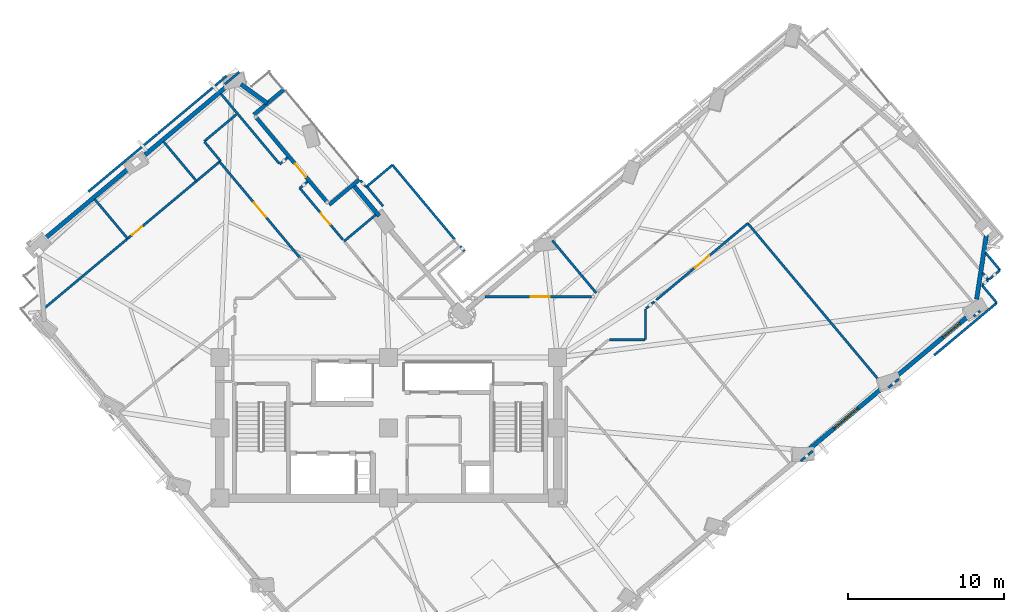
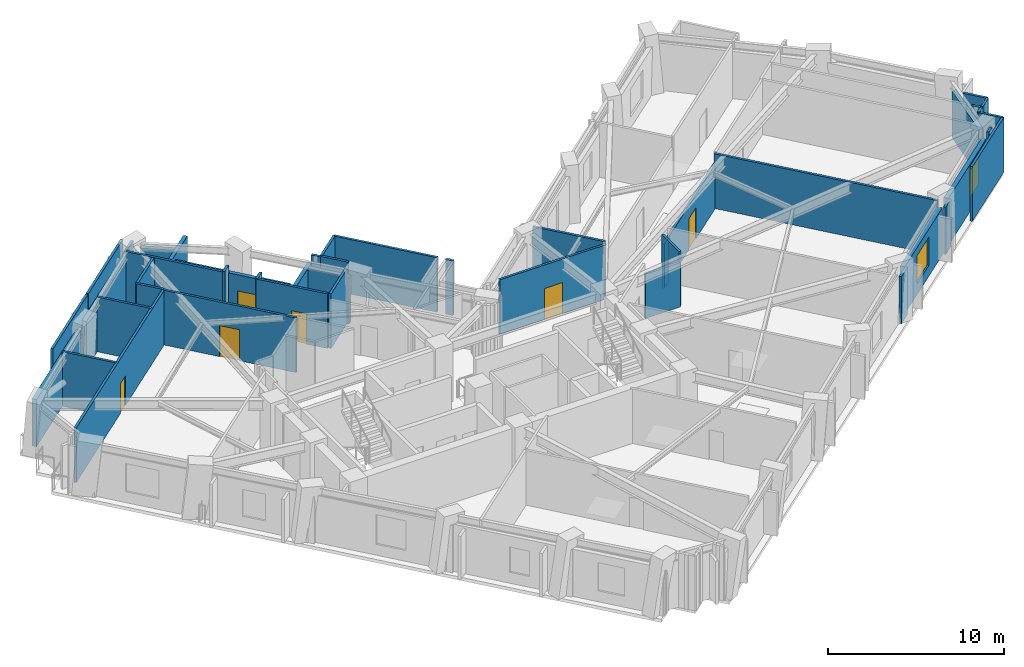
# One storey, part 8 of 14: 45 walls, 6 doors, 2 windows, 8 openings.
"""IFC4 building model written with IfcOpenShell, lengths in metres."""

from ifc_helpers import new_model, si_unit, direction, frame, frame_2d, origin, place, context, subcontext, project, spatial, rectangle, extrude, material, layer, layer_set, type_object, element, fill, save


model = new_model("IFC4")

# Units and contexts
model_context = context("Model", 3, precision=1e-05, world=origin(), true_north=direction((0.0, 1.0)))
body_context = subcontext(model_context, "Body", "Model", "MODEL_VIEW")
ifc_project = project(units=[si_unit("LENGTHUNIT", "METRE"), si_unit("AREAUNIT", "SQUARE_METRE"), si_unit("VOLUMEUNIT", "CUBIC_METRE"), si_unit("PLANEANGLEUNIT", "RADIAN"), si_unit("MASSUNIT", "GRAM", prefix="KILO")], contexts=[model_context])

# Site, building, storey
site_placement = place(None, origin())
site = spatial("IfcSite", under=ifc_project, at=site_placement, CompositionType="ELEMENT")
building_placement = place(site_placement, origin())
building = spatial("IfcBuilding", under=site, at=building_placement, Name="Gaonmaruhae Medical Tower", CompositionType="ELEMENT")
storey_placement = place(building_placement, frame((0.0, 0.0, 193.800048828125)))
storey = spatial("IfcBuildingStorey", under=building, at=storey_placement, Name="L46", CompositionType="ELEMENT", Elevation=193.800048828125)

# Wall, opening, door
ifc_material_1 = material(Name="Precast concrete C45/55", Category="concrete")
ifc_layer_1 = layer(ifc_material_1, 0.239990234375)
ifc_layer_set_1 = layer_set([ifc_layer_1], Name="Precast concrete C45/55")
wall_type_1 = type_object("IfcWallType", Name="EW-240 Ribbon & Shelter Insulated Precast Wall", PredefinedType="SOLIDWALL", material=ifc_layer_set_1)
wall_1_placement = place(storey_placement, frame((16.34912109375, 32.118408203125, 0.0), z_axis=(0.0, 0.0, 1.0), x_axis=(0.64142910076, -0.767182317769, 0.0)))
wall_1 = element("IfcWall", 1, at=wall_1_placement, inside=storey, type_object=wall_type_1, Name="L46 Recessed Terrace Enclosure Wall TERB", PredefinedType="SOLIDWALL", context=body_context, shape_type="SweptSolid", body=[
    extrude(rectangle(XDim=6.9599609375, YDim=0.239990234375, at=frame_2d((3.47998046875, 0.0))), origin(), (0.0, 0.0, 1.0), 3.264892578125),
])
opening_1_placement = place(wall_1_placement, frame((3.819580078125, 0.0, 0.0)))
opening_1 = element("IfcOpeningElement", 2, at=opening_1_placement, cuts=wall_1, Name="Opening TD-01", PredefinedType="OPENING", context=body_context, shape_type="SweptSolid", body=[
    extrude(rectangle(XDim=1.10009765625, YDim=2.14990234375, at=frame_2d((0.550048828125, 1.074951171875))), frame((0.0, 0.1298828125, 0.0), z_axis=(0.0, -1.0, 0.0), x_axis=(1.0, 0.0, 0.0)), (0.0, 0.0, 1.0), 0.260009765625),
])
ifc_material_2 = material(Name="Anodised aluminium and toughened safety glass", Category="aluminium")
door_type_1 = type_object("IfcDoorType", Name="TD-01 Terrace & Sky Garden Glazed Door 1100x2150", OperationType="NOTDEFINED", PredefinedType="DOOR", material=ifc_material_2)
door_1_placement = place(opening_1_placement, origin())
door_1 = element("IfcDoor", 3, at=door_1_placement, inside=storey, type_object=door_type_1, Name="L46 Outdoor Terrace Access Door SLB-L46-TER", OperationType="SINGLE_SWING_RIGHT", OverallHeight=2.14990234375, OverallWidth=1.10009765625, PredefinedType="DOOR", context=body_context, shape_type="SweptSolid", body=[
    extrude(rectangle(XDim=1.10009765625, YDim=2.14990234375, at=frame_2d((0.550048828125, 1.074951171875))), frame((0.0, 0.02490234375, 0.0), z_axis=(0.0, -1.0, 0.0), x_axis=(1.0, 0.0, 0.0)), (0.0, 0.0, 1.0), 0.050048828125),
])
fill(opening_1, door_1)

# Walls
wall_2_placement = place(storey_placement, frame((20.9931640625, 26.564208984375, 0.0), z_axis=(0.0, 0.0, 1.0), x_axis=(0.7671555128, 0.641461159526, 0.0)))
element("IfcWall", 4, at=wall_2_placement, inside=storey, type_object=wall_type_1, Name="L46 Recessed Terrace Enclosure Wall TERL", PredefinedType="SOLIDWALL", context=body_context, shape_type="SweptSolid", body=[
    extrude(rectangle(XDim=2.499755859375, YDim=0.239990234375, at=frame_2d((1.25, 0.0))), origin(), (0.0, 0.0, 1.0), 3.264892578125),
])
wall_3_placement = place(storey_placement, frame((18.08740234375, 33.936767578125, 0.0), z_axis=(0.0, 0.0, 1.0), x_axis=(-0.767147639319, -0.641470575699, 0.0)))
element("IfcWall", 5, at=wall_3_placement, inside=storey, type_object=wall_type_1, Name="L46 Recessed Terrace Enclosure Wall TERR", PredefinedType="SOLIDWALL", context=body_context, shape_type="SweptSolid", body=[
    extrude(rectangle(XDim=2.500244140625, YDim=0.239990234375, at=frame_2d((1.25, 0.0))), origin(), (0.0, 0.0, 1.0), 3.264892578125),
])

# Wall, opening, window
ifc_layer_2 = layer(ifc_material_1, 0.280029296875)
ifc_layer_set_2 = layer_set([ifc_layer_2], Name="Precast concrete C45/55")
wall_type_2 = type_object("IfcWallType", Name="EW-280 Upper Precast Masonry-Frame Facade Wall", PredefinedType="SOLIDWALL", material=ifc_layer_set_2)
wall_4_placement = place(storey_placement, frame((56.5390625, 14.97705078125, 0.0), z_axis=(0.0, 0.0, 1.0), x_axis=(-0.767164687181, -0.641450187265, 0.0)))
wall_4 = element("IfcWall", 6, at=wall_4_placement, inside=storey, type_object=wall_type_2, Name="L46 Precast Masonry-Frame Wall S05-S06", PredefinedType="SOLIDWALL", context=body_context, shape_type="SweptSolid", body=[
    extrude(rectangle(XDim=6.21826171875, YDim=0.280029296875, at=frame_2d((3.109130859375, 0.0))), origin(), (0.0, 0.0, 1.0), 3.264892578125),
])
opening_2_placement = place(wall_4_placement, frame((2.2421875, 0.0, 0.75)))
opening_2 = element("IfcOpeningElement", 7, at=opening_2_placement, cuts=wall_4, Name="Opening WN-02", PredefinedType="OPENING", context=body_context, shape_type="SweptSolid", body=[
    extrude(rectangle(XDim=2.0, YDim=1.949951171875, at=frame_2d((1.0, 0.97509765625))), frame((0.0, 0.14990234375, 0.0), z_axis=(0.0, -1.0, 0.0), x_axis=(1.0, 0.0, 0.0)), (0.0, 0.0, 1.0), 0.300048828125),
])
ifc_material_3 = material(Name="Anodised aluminium and Low-E double glazing", Category="aluminium")
window_type_1 = type_object("IfcWindowType", Name="WN-02 Double-Bed Ward Punched Window 2000x1950", PartitioningType="SINGLE_PANEL", PredefinedType="WINDOW", material=ifc_material_3)
window_1_placement = place(opening_2_placement, origin())
window_1 = element("IfcWindow", 8, at=window_1_placement, inside=storey, type_object=window_type_1, Name="L46 Modular Facade Window S05", OverallHeight=1.949951171875, OverallWidth=2.0, PartitioningType="SINGLE_PANEL", PredefinedType="WINDOW", context=body_context, shape_type="SweptSolid", body=[
    extrude(rectangle(XDim=2.0, YDim=1.949951171875, at=frame_2d((1.0, 0.97509765625))), frame((0.0, 0.030029296875, 0.0), z_axis=(0.0, -1.0, 0.0), x_axis=(1.0, 0.0, 0.0)), (0.0, 0.0, 1.0), 0.06005859375),
])
fill(opening_2, window_1)

wall_5_placement = place(storey_placement, frame((62.074462890625, 19.60546875, 0.0), z_axis=(0.0, 0.0, 1.0), x_axis=(-0.76717519445, -0.641437620522, 0.0)))
wall_5 = element("IfcWall", 9, at=wall_5_placement, inside=storey, type_object=wall_type_2, Name="L46 Precast Masonry-Frame Wall S06-S07", PredefinedType="SOLIDWALL", context=body_context, shape_type="SweptSolid", body=[
    extrude(rectangle(XDim=6.242431640625, YDim=0.280029296875, at=frame_2d((3.12109375, 0.0))), origin(), (0.0, 0.0, 1.0), 3.264892578125),
])
opening_3_placement = place(wall_5_placement, frame((0.967529296875, 0.0, 0.75)))
opening_3 = element("IfcOpeningElement", 10, at=opening_3_placement, cuts=wall_5, Name="Opening WN-03", PredefinedType="OPENING", context=body_context, shape_type="SweptSolid", body=[
    extrude(rectangle(XDim=1.39990234375, YDim=1.85009765625, at=frame_2d((0.699951171875, 0.925048828125))), frame((0.0, 0.14990234375, 0.0), z_axis=(0.0, -1.0, 0.0), x_axis=(1.0, 0.0, 0.0)), (0.0, 0.0, 1.0), 0.300048828125),
])
window_type_2 = type_object("IfcWindowType", Name="WN-03 Isolation Ward Punched Window 1400x1850", PartitioningType="SINGLE_PANEL", PredefinedType="WINDOW", material=ifc_material_3)
window_2_placement = place(opening_3_placement, origin())
window_2 = element("IfcWindow", 11, at=window_2_placement, inside=storey, type_object=window_type_2, Name="L46 Modular Facade Window S06", OverallHeight=1.85009765625, OverallWidth=1.39990234375, PartitioningType="SINGLE_PANEL", PredefinedType="WINDOW", context=body_context, shape_type="SweptSolid", body=[
    extrude(rectangle(XDim=1.39990234375, YDim=1.85009765625, at=frame_2d((0.699951171875, 0.925048828125))), frame((0.0, 0.030029296875, 0.0), z_axis=(0.0, -1.0, 0.0), x_axis=(1.0, 0.0, 0.0)), (0.0, 0.0, 1.0), 0.06005859375),
])
fill(opening_3, window_2)

# Walls
wall_6_placement = place(storey_placement, frame((63.029541015625, 24.6171875, 0.0), z_axis=(0.0, 0.0, 1.0), x_axis=(-0.150419472424, -0.988622264728, 0.0)))
element("IfcWall", 12, at=wall_6_placement, inside=storey, type_object=wall_type_2, Name="L46 Precast Masonry-Frame Wall S07-E01", PredefinedType="SOLIDWALL", context=body_context, shape_type="SweptSolid", body=[
    extrude(rectangle(XDim=4.145263671875, YDim=0.280029296875, at=frame_2d((2.07275390625, 0.0))), origin(), (0.0, 0.0, 1.0), 3.264892578125),
])
wall_7_placement = place(storey_placement, frame((24.1884765625, 25.844970703125, 0.0), z_axis=(0.0, 0.0, 1.0), x_axis=(-0.641458055638, 0.767158108122, 0.0)))
element("IfcWall", 13, at=wall_7_placement, inside=storey, type_object=wall_type_2, Name="L46 Precast Masonry-Frame Wall NE01-NE02", PredefinedType="SOLIDWALL", context=body_context, shape_type="SweptSolid", body=[
    extrude(rectangle(XDim=2.581298828125, YDim=0.280029296875, at=frame_2d((1.29052734375, 0.0))), origin(), (0.0, 0.0, 1.0), 3.244873046875),
])
wall_8_placement = place(storey_placement, frame((15.346923828125, 34.27099609375, 0.0), z_axis=(0.0, 0.0, 1.0), x_axis=(0.811878353868, -0.58382663396, 0.0)))
element("IfcWall", 14, at=wall_8_placement, inside=storey, type_object=wall_type_2, Name="L46 Precast Masonry-Frame Wall NE02-N01", PredefinedType="SOLIDWALL", context=body_context, shape_type="SweptSolid", body=[
    extrude(rectangle(XDim=2.05859375, YDim=0.280029296875, at=frame_2d((1.029296875, 0.0))), origin(), (0.0, 0.0, 1.0), 3.244873046875),
])
wall_9_placement = place(storey_placement, frame((8.900634765625, 29.501220703125, 0.0), z_axis=(0.0, 0.0, 1.0), x_axis=(0.767160246758, 0.641455497906, 0.0)))
element("IfcWall", 15, at=wall_9_placement, inside=storey, type_object=wall_type_2, Name="L46 Precast Masonry-Frame Wall N01-N02", PredefinedType="SOLIDWALL", context=body_context, shape_type="SweptSolid", body=[
    extrude(rectangle(XDim=7.230712890625, YDim=0.280029296875, at=frame_2d((3.615234375, 0.0))), origin(), (0.0, 0.0, 1.0), 3.264892578125),
])
wall_10_placement = place(storey_placement, frame((2.59130859375, 24.2255859375, 0.0), z_axis=(0.0, 0.0, 1.0), x_axis=(0.767157694515, 0.641458550295, 0.0)))
element("IfcWall", 16, at=wall_10_placement, inside=storey, type_object=wall_type_2, Name="L46 Precast Masonry-Frame Wall N02-N03", PredefinedType="SOLIDWALL", context=body_context, shape_type="SweptSolid", body=[
    extrude(rectangle(XDim=7.269775390625, YDim=0.280029296875, at=frame_2d((3.634765625, 0.0))), origin(), (0.0, 0.0, 1.0), 3.264892578125),
])
ifc_material_4 = material(Name="Gypsum board partition", Category="gypsum")
ifc_layer_3 = layer(ifc_material_4, 0.14990234375)
ifc_layer_set_3 = layer_set([ifc_layer_3], Name="Gypsum board partition")
wall_type_3 = type_object("IfcWallType", Name="PW-150 Rated Clinical Corridor Partition", PredefinedType="PARTITIONING", material=ifc_layer_set_3)
wall_11_placement = place(storey_placement, frame((41.22998046875, 17.949951171875, 0.0), z_axis=(0.0, 0.0, 1.0), x_axis=(0.0, 1.0, 0.0)))
element("IfcWall", 17, at=wall_11_placement, inside=storey, type_object=wall_type_3, Name="L46 Interior Partition L46-SUP04-23", PredefinedType="PARTITIONING", context=body_context, shape_type="SweptSolid", body=[
    extrude(rectangle(XDim=1.9541015625, YDim=0.14990234375, at=frame_2d((0.97705078125, 0.0))), origin(), (0.0, 0.0, 1.0), 3.780029296875),
])
wall_12_placement = place(storey_placement, frame((41.26806640625, 19.93603515625, 0.0), z_axis=(0.0, 0.0, 1.0), x_axis=(0.766980203841, 0.641670762086, 0.0)))
element("IfcWall", 18, at=wall_12_placement, inside=storey, type_object=wall_type_3, Name="L46 Interior Partition L46-SUP04-24", PredefinedType="PARTITIONING", context=body_context, shape_type="SweptSolid", body=[
    extrude(rectangle(XDim=0.677978515625, YDim=0.14990234375, at=frame_2d((0.3388671875, 0.0))), origin(), (0.0, 0.0, 1.0), 3.06494140625),
])
wall_13_placement = place(storey_placement, frame((38.906982421875, 17.919921875, 0.0), z_axis=(0.0, 0.0, 1.0), x_axis=(1.0, 0.0, 0.0)))
element("IfcWall", 19, at=wall_13_placement, inside=storey, type_object=wall_type_3, Name="L46 Interior Partition L46-SUP04-28", PredefinedType="PARTITIONING", context=body_context, shape_type="SweptSolid", body=[
    extrude(rectangle(XDim=2.282958984375, YDim=0.14990234375, at=frame_2d((1.1416015625, 0.0))), origin(), (0.0, 0.0, 1.0), 3.06494140625),
])

# Wall, opening, door
wall_14_placement = place(storey_placement, frame((41.909912109375, 20.472900390625, 0.0), z_axis=(0.0, 0.0, 1.0), x_axis=(0.767133193251, 0.641487851648, 0.0)))
wall_14 = element("IfcWall", 20, at=wall_14_placement, inside=storey, type_object=wall_type_3, Name="L46 Interior Partition L46-SUP05-29", PredefinedType="PARTITIONING", context=body_context, shape_type="SweptSolid", body=[
    extrude(rectangle(XDim=7.64013671875, YDim=0.14990234375, at=frame_2d((3.820068359375, 0.0))), origin(), (0.0, 0.0, 1.0), 3.06494140625),
])
opening_4_placement = place(wall_14_placement, frame((3.219970703125, 0.0, 0.0)))
opening_4 = element("IfcOpeningElement", 21, at=opening_4_placement, cuts=wall_14, Name="Opening CD-02", PredefinedType="OPENING", context=body_context, shape_type="SweptSolid", body=[
    extrude(rectangle(XDim=1.199951171875, YDim=2.14990234375, at=frame_2d((0.60009765625, 1.074951171875))), frame((0.0, 0.0849609375, 0.0), z_axis=(0.0, -1.0, 0.0), x_axis=(1.0, 0.0, 0.0)), (0.0, 0.0, 1.0), 0.169921875),
])
ifc_material_5 = material(Name="Antimicrobial laminate timber fire door", Category="wood")
door_type_2 = type_object("IfcDoorType", Name="CD-02 Clinical Treatment & Procedure Door 1200x2150", OperationType="NOTDEFINED", PredefinedType="DOOR", material=ifc_material_5)
door_2_placement = place(opening_4_placement, origin())
door_2 = element("IfcDoor", 22, at=door_2_placement, inside=storey, type_object=door_type_2, Name="L46 Clinical Biomedical Charting Office Door", OperationType="SINGLE_SWING_RIGHT", OverallHeight=2.14990234375, OverallWidth=1.199951171875, PredefinedType="DOOR", context=body_context, shape_type="SweptSolid", body=[
    extrude(rectangle(XDim=1.199951171875, YDim=2.14990234375, at=frame_2d((0.60009765625, 1.074951171875))), frame((0.0, 0.02490234375, 0.0), z_axis=(0.0, -1.0, 0.0), x_axis=(1.0, 0.0, 0.0)), (0.0, 0.0, 1.0), 0.050048828125),
])
fill(opening_4, door_2)

# Walls
wall_15_placement = place(storey_placement, frame((47.77099609375, 25.3740234375, 0.0), z_axis=(0.0, 0.0, 1.0), x_axis=(0.6415100718, -0.767114611892, 0.0)))
element("IfcWall", 23, at=wall_15_placement, inside=storey, type_object=wall_type_3, Name="L46 Interior Partition L46-SUP05-30", PredefinedType="PARTITIONING", context=body_context, shape_type="SweptSolid", body=[
    extrude(rectangle(XDim=13.485595703125, YDim=0.14990234375, at=frame_2d((6.74267578125, 0.0))), origin(), (0.0, 0.0, 1.0), 3.780029296875),
])
wall_16_placement = place(storey_placement, frame((51.916015625, 10.81201171875, 0.0), z_axis=(0.0, 0.0, 1.0), x_axis=(-0.766986359931, -0.641663403725, 0.0)))
element("IfcWall", 24, at=wall_16_placement, inside=storey, type_object=wall_type_3, Name="L46 Interior Partition L46-SUP05-31", PredefinedType="PARTITIONING", context=body_context, shape_type="SweptSolid", body=[
    extrude(rectangle(XDim=0.98974609375, YDim=0.14990234375, at=frame_2d((0.494873046875, 0.0))), origin(), (0.0, 0.0, 1.0), 3.264892578125),
])
wall_17_placement = place(storey_placement, frame((62.626953125, 19.76708984375, 0.0), z_axis=(0.0, 0.0, 1.0), x_axis=(-0.767652058526, -0.640866848137, 0.0)))
element("IfcWall", 25, at=wall_17_placement, inside=storey, type_object=wall_type_3, Name="L46 Interior Partition L46-SUP06-34", PredefinedType="PARTITIONING", context=body_context, shape_type="SweptSolid", body=[
    extrude(rectangle(XDim=0.527587890625, YDim=0.14990234375, at=frame_2d((0.263671875, 0.0))), origin(), (0.0, 0.0, 1.0), 3.780029296875),
])
wall_18_placement = place(storey_placement, frame((57.43310546875, 15.425048828125, 0.0), z_axis=(0.0, 0.0, 1.0), x_axis=(-0.767508262314, -0.64103905285, 0.0)))
element("IfcWall", 26, at=wall_18_placement, inside=storey, type_object=wall_type_3, Name="L46 Interior Partition L46-SUP06-35", PredefinedType="PARTITIONING", context=body_context, shape_type="SweptSolid", body=[
    extrude(rectangle(XDim=0.87060546875, YDim=0.14990234375, at=frame_2d((0.435302734375, 0.0))), origin(), (0.0, 0.0, 1.0), 3.264892578125),
])

# Wall, opening, door
wall_19_placement = place(storey_placement, frame((2.81396484375, 19.97998046875, 0.0), z_axis=(0.0, 0.0, 1.0), x_axis=(0.767178435157, 0.641433744537, 0.0)))
wall_19 = element("IfcWall", 27, at=wall_19_placement, inside=storey, type_object=wall_type_3, Name="L46 Interior Partition L46-WOF09-49", PredefinedType="PARTITIONING", context=body_context, shape_type="SweptSolid", body=[
    extrude(rectangle(XDim=14.559814453125, YDim=0.14990234375, at=frame_2d((7.27978515625, 0.0))), origin(), (0.0, 0.0, 1.0), 3.780029296875),
])
opening_5_placement = place(wall_19_placement, frame((7.244140625, 0.0, 0.0)))
opening_5 = element("IfcOpeningElement", 28, at=opening_5_placement, cuts=wall_19, Name="Opening AD-01", PredefinedType="OPENING", context=body_context, shape_type="SweptSolid", body=[
    extrude(rectangle(XDim=0.860107421875, YDim=2.06005859375, at=frame_2d((0.43017578125, 1.030029296875))), frame((0.0, 0.0849609375, 0.0), z_axis=(0.0, -1.0, 0.0), x_axis=(1.0, 0.0, 0.0)), (0.0, 0.0, 1.0), 0.169921875),
])
ifc_material_6 = material(Name="Powder-coated steel access door", Category="steel")
door_type_3 = type_object("IfcDoorType", Name="AD-01 Riser & Closet Access Fire Door 860x2060", OperationType="NOTDEFINED", PredefinedType="DOOR", material=ifc_material_6)
door_3_placement = place(opening_5_placement, origin())
door_3 = element("IfcDoor", 29, at=door_3_placement, inside=storey, type_object=door_type_3, Name="L46 Care Team Clinical Charting Office Sliding Door", OperationType="SLIDING_TO_LEFT", OverallHeight=2.06005859375, OverallWidth=0.860107421875, PredefinedType="DOOR", context=body_context, shape_type="SweptSolid", body=[
    extrude(rectangle(XDim=0.860107421875, YDim=2.06005859375, at=frame_2d((0.43017578125, 1.030029296875))), frame((0.0, 0.02490234375, 0.0), z_axis=(0.0, -1.0, 0.0), x_axis=(1.0, 0.0, 0.0)), (0.0, 0.0, 1.0), 0.050048828125),
])
fill(opening_5, door_3)

wall_20_placement = place(storey_placement, frame((13.98388671875, 29.319091796875, 0.0), z_axis=(0.0, 0.0, 1.0), x_axis=(0.641434995705, -0.76717738906, 0.0)))
wall_20 = element("IfcWall", 30, at=wall_20_placement, inside=storey, type_object=wall_type_3, Name="L46 Interior Partition L46-WOF09-50", PredefinedType="PARTITIONING", context=body_context, shape_type="SweptSolid", body=[
    extrude(rectangle(XDim=8.0400390625, YDim=0.14990234375, at=frame_2d((4.02001953125, 0.0))), origin(), (0.0, 0.0, 1.0), 3.780029296875),
])
opening_6_placement = place(wall_20_placement, frame((3.419921875, 0.0, 0.0)))
opening_6 = element("IfcOpeningElement", 31, at=opening_6_placement, cuts=wall_20, Name="Opening CD-02", PredefinedType="OPENING", context=body_context, shape_type="SweptSolid", body=[
    extrude(rectangle(XDim=1.199951171875, YDim=2.14990234375, at=frame_2d((0.60009765625, 1.074951171875))), frame((0.0, 0.0849609375, 0.0), z_axis=(0.0, -1.0, 0.0), x_axis=(1.0, 0.0, 0.0)), (0.0, 0.0, 1.0), 0.169921875),
])
door_4_placement = place(opening_6_placement, origin())
door_4 = element("IfcDoor", 32, at=door_4_placement, inside=storey, type_object=door_type_2, Name="L46 Ward Physician Reporting Office Door", OperationType="SINGLE_SWING_LEFT", OverallHeight=2.14990234375, OverallWidth=1.199951171875, PredefinedType="DOOR", context=body_context, shape_type="SweptSolid", body=[
    extrude(rectangle(XDim=1.199951171875, YDim=2.14990234375, at=frame_2d((0.60009765625, 1.074951171875))), frame((0.0, 0.02490234375, 0.0), z_axis=(0.0, -1.0, 0.0), x_axis=(1.0, 0.0, 0.0)), (0.0, 0.0, 1.0), 0.050048828125),
])
fill(opening_6, door_4)

# Wall
wall_21_placement = place(storey_placement, frame((35.263916015625, 24.281982421875, 0.0), z_axis=(0.0, 0.0, 1.0), x_axis=(0.641358182852, -0.767241605552, 0.0)))
element("IfcWall", 33, at=wall_21_placement, inside=storey, type_object=wall_type_3, Name="L46 Interior Partition L46-IE01-56", PredefinedType="PARTITIONING", context=body_context, shape_type="SweptSolid", body=[
    extrude(rectangle(XDim=4.375244140625, YDim=0.14990234375, at=frame_2d((2.1875, 0.0))), origin(), (0.0, 0.0, 1.0), 3.780029296875),
])

# Wall, opening, door
wall_22_placement = place(storey_placement, frame((37.777099609375, 20.679931640625, 0.0), z_axis=(0.0, 0.0, 1.0), x_axis=(-1.0, 0.0, 0.0)))
wall_22 = element("IfcWall", 34, at=wall_22_placement, inside=storey, type_object=wall_type_3, Name="L46 Interior Partition L46-IE01-57", PredefinedType="PARTITIONING", context=body_context, shape_type="SweptSolid", body=[
    extrude(rectangle(XDim=6.80517578125, YDim=0.14990234375, at=frame_2d((3.402587890625, 0.0))), origin(), (0.0, 0.0, 1.0), 3.780029296875),
])
opening_7_placement = place(wall_22_placement, frame((2.6884765625, 0.0, 0.0)))
opening_7 = element("IfcOpeningElement", 35, at=opening_7_placement, cuts=wall_22, Name="Opening CD-02", PredefinedType="OPENING", context=body_context, shape_type="SweptSolid", body=[
    extrude(rectangle(XDim=1.199951171875, YDim=2.14990234375, at=frame_2d((0.60009765625, 1.074951171875))), frame((0.0, 0.0849609375, 0.0), z_axis=(0.0, -1.0, 0.0), x_axis=(1.0, 0.0, 0.0)), (0.0, 0.0, 1.0), 0.169921875),
])
door_5_placement = place(opening_7_placement, origin())
door_5 = element("IfcDoor", 36, at=door_5_placement, inside=storey, type_object=door_type_2, Name="L46 Central Clinical Nurse Station Door", OperationType="SINGLE_SWING_RIGHT", OverallHeight=2.14990234375, OverallWidth=1.199951171875, PredefinedType="DOOR", context=body_context, shape_type="SweptSolid", body=[
    extrude(rectangle(XDim=1.199951171875, YDim=2.14990234375, at=frame_2d((0.60009765625, 1.074951171875))), frame((0.0, 0.02490234375, 0.0), z_axis=(0.0, -1.0, 0.0), x_axis=(1.0, 0.0, 0.0)), (0.0, 0.0, 1.0), 0.050048828125),
])
fill(opening_7, door_5)

# Walls
wall_23_placement = place(storey_placement, frame((29.3701171875, 23.93505859375, 0.0), z_axis=(0.0, 0.0, 1.0), x_axis=(0.640665314314, -0.767820262193, 0.0)))
element("IfcWall", 37, at=wall_23_placement, inside=storey, type_object=wall_type_3, Name="L46 Interior Partition L46-IE01-68", PredefinedType="PARTITIONING", context=body_context, shape_type="SweptSolid", body=[
    extrude(rectangle(XDim=0.44921875, YDim=0.14990234375, at=frame_2d((0.224609375, 0.0))), origin(), (0.0, 0.0, 1.0), 3.780029296875),
])
wall_24_placement = place(storey_placement, frame((21.949951171875, 24.235107421875, 0.0), z_axis=(0.0, 0.0, 1.0), x_axis=(0.767141544005, 0.641477865137, 0.0)))
element("IfcWall", 38, at=wall_24_placement, inside=storey, type_object=wall_type_3, Name="L46 Interior Partition L46-IN01-80", PredefinedType="PARTITIONING", context=body_context, shape_type="SweptSolid", body=[
    extrude(rectangle(XDim=2.634521484375, YDim=0.14990234375, at=frame_2d((1.3173828125, 0.0))), origin(), (0.0, 0.0, 1.0), 3.780029296875),
])
wall_25_placement = place(storey_placement, frame((23.39111328125, 27.73388671875, 0.0), z_axis=(0.0, 0.0, 1.0), x_axis=(0.641559979039, -0.767072873523, 0.0)))
element("IfcWall", 39, at=wall_25_placement, inside=storey, type_object=wall_type_3, Name="L46 Interior Partition L46-IN02-84", PredefinedType="PARTITIONING", context=body_context, shape_type="SweptSolid", body=[
    extrude(rectangle(XDim=1.6396484375, YDim=0.14990234375, at=frame_2d((0.81982421875, 0.0))), origin(), (0.0, 0.0, 1.0), 3.780029296875),
])

# Wall, opening, door
wall_26_placement = place(storey_placement, frame((21.873046875, 24.326904296875, 0.0), z_axis=(0.0, 0.0, 1.0), x_axis=(-0.641417353463, 0.767192139347, 0.0)))
wall_26 = element("IfcWall", 40, at=wall_26_placement, inside=storey, type_object=wall_type_3, Name="L46 Interior Partition L46-IN02-85", PredefinedType="PARTITIONING", context=body_context, shape_type="SweptSolid", body=[
    extrude(rectangle(XDim=4.301513671875, YDim=0.14990234375, at=frame_2d((2.15087890625, 0.0))), origin(), (0.0, 0.0, 1.0), 3.780029296875),
])
opening_8_placement = place(wall_26_placement, frame((1.267578125, 0.0, 0.0)))
opening_8 = element("IfcOpeningElement", 41, at=opening_8_placement, cuts=wall_26, Name="Opening UD-01", PredefinedType="OPENING", context=body_context, shape_type="SweptSolid", body=[
    extrude(rectangle(XDim=0.919921875, YDim=2.10009765625, at=frame_2d((0.4599609375, 1.050048828125))), frame((0.0, 0.0849609375, 0.0), z_axis=(0.0, -1.0, 0.0), x_axis=(1.0, 0.0, 0.0)), (0.0, 0.0, 1.0), 0.169921875),
])
ifc_material_7 = material(Name="Powder-coated steel utility door", Category="steel")
door_type_4 = type_object("IfcDoorType", Name="UD-01 Toilet, Utility & Housekeeping Door 920x2100", OperationType="NOTDEFINED", PredefinedType="DOOR", material=ifc_material_7)
door_6_placement = place(opening_8_placement, origin())
door_6 = element("IfcDoor", 42, at=door_6_placement, inside=storey, type_object=door_type_4, Name="L46 Ward Nutrition Pantry Door", OperationType="SINGLE_SWING_RIGHT", OverallHeight=2.10009765625, OverallWidth=0.919921875, PredefinedType="DOOR", context=body_context, shape_type="SweptSolid", body=[
    extrude(rectangle(XDim=0.919921875, YDim=2.10009765625, at=frame_2d((0.4599609375, 1.050048828125))), frame((0.0, 0.02490234375, 0.0), z_axis=(0.0, -1.0, 0.0), x_axis=(1.0, 0.0, 0.0)), (0.0, 0.0, 1.0), 0.050048828125),
])
fill(opening_8, door_6)

# Walls
wall_27_placement = place(storey_placement, frame((19.114013671875, 27.626953125, 0.0), z_axis=(0.0, 0.0, 1.0), x_axis=(0.76746790966, 0.641087363502, 0.0)))
element("IfcWall", 43, at=wall_27_placement, inside=storey, type_object=wall_type_3, Name="L46 Interior Partition L46-IN02-86", PredefinedType="PARTITIONING", context=body_context, shape_type="SweptSolid", body=[
    extrude(rectangle(XDim=0.66455078125, YDim=0.14990234375, at=frame_2d((0.332275390625, 0.0))), origin(), (0.0, 0.0, 1.0), 3.780029296875),
])
wall_28_placement = place(storey_placement, frame((22.9970703125, 28.126953125, 0.0), z_axis=(0.0, 0.0, 1.0), x_axis=(0.641007930562, -0.767534255233, 0.0)))
element("IfcWall", 44, at=wall_28_placement, inside=storey, type_object=wall_type_3, Name="L46 Interior Partition L46-IN02-87", PredefinedType="PARTITIONING", context=body_context, shape_type="SweptSolid", body=[
    extrude(rectangle(XDim=0.5537109375, YDim=0.14990234375, at=frame_2d((0.27685546875, 0.0))), origin(), (0.0, 0.0, 1.0), 3.780029296875),
])
wall_29_placement = place(storey_placement, frame((18.341064453125, 29.5869140625, 0.0), z_axis=(0.0, 0.0, 1.0), x_axis=(-0.76746790966, -0.641087363502, 0.0)))
element("IfcWall", 45, at=wall_29_placement, inside=storey, type_object=wall_type_3, Name="L46 Interior Partition L46-IN03-89", PredefinedType="PARTITIONING", context=body_context, shape_type="SweptSolid", body=[
    extrude(rectangle(XDim=0.66455078125, YDim=0.14990234375, at=frame_2d((0.332275390625, 0.0))), origin(), (0.0, 0.0, 1.0), 3.780029296875),
])
wall_30_placement = place(storey_placement, frame((17.799072265625, 29.198974609375, 0.0), z_axis=(0.0, 0.0, 1.0), x_axis=(-0.641391521351, 0.76721373576, 0.0)))
element("IfcWall", 46, at=wall_30_placement, inside=storey, type_object=wall_type_3, Name="L46 Interior Partition L46-IN03-90", PredefinedType="PARTITIONING", context=body_context, shape_type="SweptSolid", body=[
    extrude(rectangle(XDim=5.824951171875, YDim=0.14990234375, at=frame_2d((2.91259765625, 0.0))), origin(), (0.0, 0.0, 1.0), 3.780029296875),
])
wall_31_placement = place(storey_placement, frame((14.325927734375, 34.284912109375, 0.0), z_axis=(0.0, 0.0, 1.0), x_axis=(0.767171367741, 0.641442197333, 0.0)))
element("IfcWall", 47, at=wall_31_placement, inside=storey, type_object=wall_type_3, Name="L46 Interior Partition L46-IN03-91", PredefinedType="PARTITIONING", context=body_context, shape_type="SweptSolid", body=[
    extrude(rectangle(XDim=1.201904296875, YDim=0.14990234375, at=frame_2d((0.60107421875, 0.0))), origin(), (0.0, 0.0, 1.0), 3.264892578125),
])
wall_32_placement = place(storey_placement, frame((5.5849609375, 27.406982421875, 0.0), z_axis=(0.0, 0.0, 1.0), x_axis=(0.767184932012, 0.641425973979, 0.0)))
element("IfcWall", 48, at=wall_32_placement, inside=storey, type_object=wall_type_3, Name="L46 Interior Partition L46-RM02-94", PredefinedType="PARTITIONING", context=body_context, shape_type="SweptSolid", body=[
    extrude(rectangle(XDim=5.740478515625, YDim=0.14990234375, at=frame_2d((2.8701171875, 0.0))), origin(), (0.0, 0.0, 1.0), 3.780029296875),
])
wall_33_placement = place(storey_placement, frame((10.39599609375, 30.60205078125, 0.0), z_axis=(0.0, 0.0, 1.0), x_axis=(0.64133838639, -0.76725815352, 0.0)))
element("IfcWall", 49, at=wall_33_placement, inside=storey, type_object=wall_type_3, Name="L46 Interior Partition L46-RM02-95", PredefinedType="PARTITIONING", context=body_context, shape_type="SweptSolid", body=[
    extrude(rectangle(XDim=3.26513671875, YDim=0.14990234375, at=frame_2d((1.632568359375, 0.0))), origin(), (0.0, 0.0, 1.0), 3.780029296875),
])
wall_34_placement = place(storey_placement, frame((8.0869140625, 24.4150390625, 0.0), z_axis=(0.0, 0.0, 1.0), x_axis=(-0.641551201233, 0.767080214969, 0.0)))
element("IfcWall", 50, at=wall_34_placement, inside=storey, type_object=wall_type_3, Name="L46 Interior Partition L46-RM02-96", PredefinedType="PARTITIONING", context=body_context, shape_type="SweptSolid", body=[
    extrude(rectangle(XDim=3.265380859375, YDim=0.14990234375, at=frame_2d((1.6328125, 0.0))), origin(), (0.0, 0.0, 1.0), 3.780029296875),
])
wall_35_placement = place(storey_placement, frame((15.048095703125, 32.333984375, 0.0), z_axis=(0.0, 0.0, 1.0), x_axis=(-0.76717824492, -0.641433972067, 0.0)))
element("IfcWall", 51, at=wall_35_placement, inside=storey, type_object=wall_type_3, Name="L46 Interior Partition L46-RM03-97", PredefinedType="PARTITIONING", context=body_context, shape_type="SweptSolid", body=[
    extrude(rectangle(XDim=2.650146484375, YDim=0.14990234375, at=frame_2d((1.3251953125, 0.0))), origin(), (0.0, 0.0, 1.0), 3.780029296875),
])
wall_36_placement = place(storey_placement, frame((13.008056640625, 30.596923828125, 0.0), z_axis=(0.0, 0.0, 1.0), x_axis=(0.64114053574, -0.767423490279, 0.0)))
element("IfcWall", 52, at=wall_36_placement, inside=storey, type_object=wall_type_3, Name="L46 Interior Partition L46-RM03-98", PredefinedType="PARTITIONING", context=body_context, shape_type="SweptSolid", body=[
    extrude(rectangle(XDim=1.6064453125, YDim=0.14990234375, at=frame_2d((0.80322265625, 0.0))), origin(), (0.0, 0.0, 1.0), 3.780029296875),
])
wall_37_placement = place(storey_placement, frame((10.034912109375, 31.126953125, 0.0), z_axis=(0.0, 0.0, 1.0), x_axis=(0.767114927552, 0.641509694336, 0.0)))
element("IfcWall", 53, at=wall_37_placement, inside=storey, type_object=wall_type_3, Name="L46 Interior Partition L46-RM03-102", PredefinedType="PARTITIONING", context=body_context, shape_type="SweptSolid", body=[
    extrude(rectangle(XDim=5.73974609375, YDim=0.14990234375, at=frame_2d((2.869873046875, 0.0))), origin(), (0.0, 0.0, 1.0), 3.780029296875),
])
wall_38_placement = place(storey_placement, frame((25.0400390625, 29.114013671875, 0.0), z_axis=(0.0, 0.0, 1.0), x_axis=(0.641366946807, -0.767234279437, 0.0)))
element("IfcWall", 54, at=wall_38_placement, inside=storey, type_object=wall_type_3, Name="L46 Interior Partition L46-RM04-103", PredefinedType="PARTITIONING", context=body_context, shape_type="SweptSolid", body=[
    extrude(rectangle(XDim=6.230224609375, YDim=0.14990234375, at=frame_2d((3.115234375, 0.0))), origin(), (0.0, 0.0, 1.0), 3.780029296875),
])
wall_39_placement = place(storey_placement, frame((23.406005859375, 27.7470703125, 0.0), z_axis=(0.0, 0.0, 1.0), x_axis=(0.767008164575, 0.641637339527, 0.0)))
element("IfcWall", 55, at=wall_39_placement, inside=storey, type_object=wall_type_3, Name="L46 Interior Partition L46-RM04-105", PredefinedType="PARTITIONING", context=body_context, shape_type="SweptSolid", body=[
    extrude(rectangle(XDim=2.13037109375, YDim=0.14990234375, at=frame_2d((1.065185546875, 0.0))), origin(), (0.0, 0.0, 1.0), 3.780029296875),
])
wall_40_placement = place(storey_placement, frame((63.158935546875, 21.75, 0.0), z_axis=(0.0, 0.0, 1.0), x_axis=(-0.767681872286, -0.640831134515, 0.0)))
element("IfcWall", 56, at=wall_40_placement, inside=storey, type_object=wall_type_3, Name="L46 Interior Partition L46-RM05-106", PredefinedType="PARTITIONING", context=body_context, shape_type="SweptSolid", body=[
    extrude(rectangle(XDim=0.51953125, YDim=0.14990234375, at=frame_2d((0.259765625, 0.0))), origin(), (0.0, 0.0, 1.0), 3.780029296875),
])
wall_41_placement = place(storey_placement, frame((62.760009765625, 21.4169921875, 0.0), z_axis=(0.0, 0.0, 1.0), x_axis=(0.641359746983, -0.767240298048, 0.0)))
element("IfcWall", 57, at=wall_41_placement, inside=storey, type_object=wall_type_3, Name="L46 Interior Partition L46-RM05-107", PredefinedType="PARTITIONING", context=body_context, shape_type="SweptSolid", body=[
    extrude(rectangle(XDim=1.47021484375, YDim=0.14990234375, at=frame_2d((0.735107421875, 0.0))), origin(), (0.0, 0.0, 1.0), 3.780029296875),
])
wall_42_placement = place(storey_placement, frame((63.702880859375, 20.2890625, 0.0), z_axis=(0.0, 0.0, 1.0), x_axis=(-0.767208256489, -0.641398075438, 0.0)))
element("IfcWall", 58, at=wall_42_placement, inside=storey, type_object=wall_type_3, Name="L46 Interior Partition L46-RM05-108", PredefinedType="PARTITIONING", context=body_context, shape_type="SweptSolid", body=[
    extrude(rectangle(XDim=5.219970703125, YDim=0.14990234375, at=frame_2d((2.60986328125, 0.0))), origin(), (0.0, 0.0, 1.0), 3.780029296875),
])
wall_43_placement = place(storey_placement, frame((62.779052734375, 22.205078125, 0.0), z_axis=(0.0, 0.0, 1.0), x_axis=(0.64083232284, -0.767680880317, 0.0)))
element("IfcWall", 59, at=wall_43_placement, inside=storey, type_object=wall_type_3, Name="L46 Interior Partition L46-RM05-111", PredefinedType="PARTITIONING", context=body_context, shape_type="SweptSolid", body=[
    extrude(rectangle(XDim=0.5927734375, YDim=0.14990234375, at=frame_2d((0.29638671875, 0.0))), origin(), (0.0, 0.0, 1.0), 3.780029296875),
])
wall_44_placement = place(storey_placement, frame((62.97509765625, 23.4970703125, 0.0), z_axis=(0.0, 0.0, 1.0), x_axis=(0.641402859912, -0.767204256568, 0.0)))
element("IfcWall", 60, at=wall_44_placement, inside=storey, type_object=wall_type_3, Name="L46 Interior Partition L46-RM06-112", PredefinedType="PARTITIONING", context=body_context, shape_type="SweptSolid", body=[
    extrude(rectangle(XDim=1.45751953125, YDim=0.14990234375, at=frame_2d((0.728759765625, 0.0))), origin(), (0.0, 0.0, 1.0), 3.780029296875),
])
wall_45_placement = place(storey_placement, frame((63.909912109375, 22.37890625, 0.0), z_axis=(0.0, 0.0, 1.0), x_axis=(-0.766891445719, -0.641776838537, 0.0)))
element("IfcWall", 61, at=wall_45_placement, inside=storey, type_object=wall_type_3, Name="L46 Interior Partition L46-RM06-113", PredefinedType="PARTITIONING", context=body_context, shape_type="SweptSolid", body=[
    extrude(rectangle(XDim=0.919189453125, YDim=0.14990234375, at=frame_2d((0.45947265625, 0.0))), origin(), (0.0, 0.0, 1.0), 3.780029296875),
])

save(model, "model.ifc")
